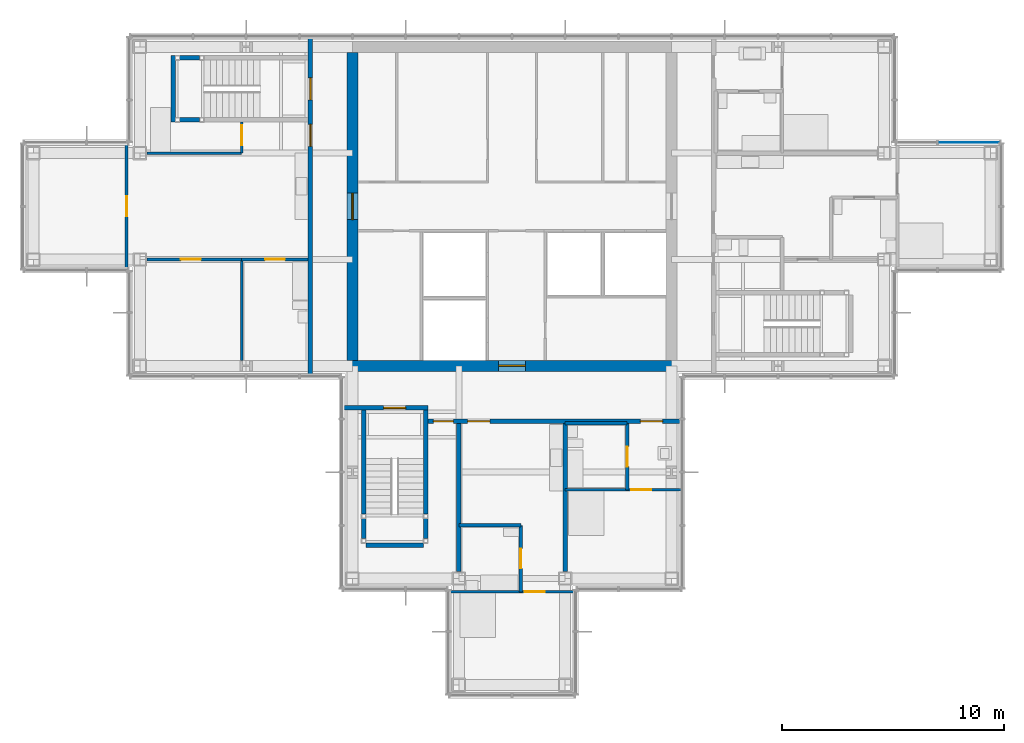
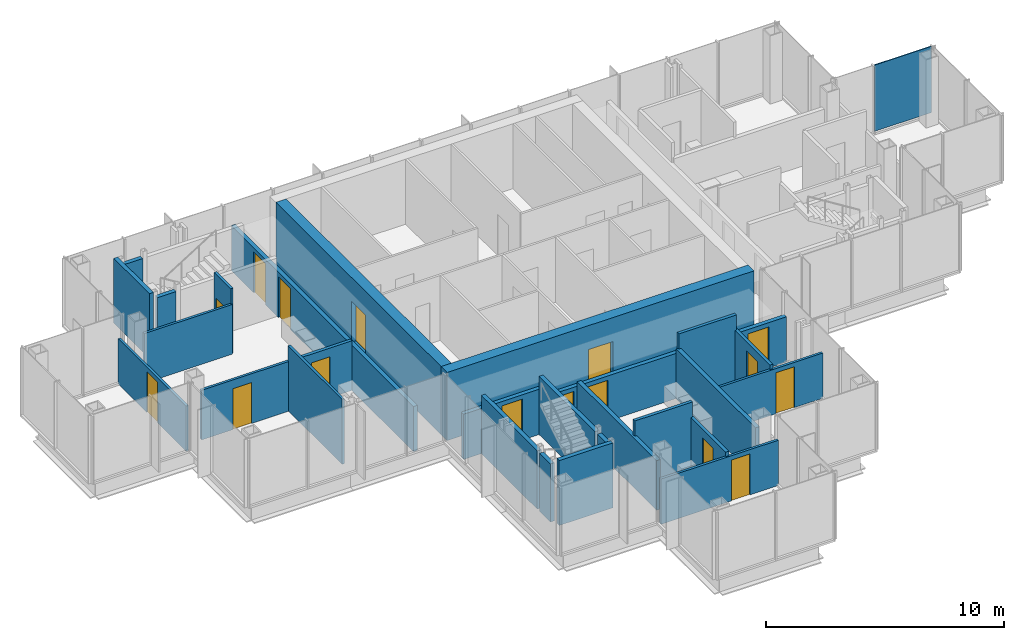
# One storey, part 10 of 15: 27 walls, 16 doors, 1 plate, 16 openings, 1 element without a shape of its own.
"""IFC4 building model written with IfcOpenShell, lengths in metres."""

from ifc_helpers import new_model, si_unit, direction, frame, frame_2d, origin, origin_2d, place, context, subcontext, project, spatial, rectangle, extrude, material, layer, layer_set, type_object, element, fill, aggregate, save


model = new_model("IFC4")

# Units and contexts
model_context = context("Model", 3, precision=1e-05, world=origin(), true_north=direction((0.0, 1.0)))
body_context = subcontext(model_context, "Body", "Model", "MODEL_VIEW")
ifc_project = project(units=[si_unit("LENGTHUNIT", "METRE"), si_unit("AREAUNIT", "SQUARE_METRE"), si_unit("VOLUMEUNIT", "CUBIC_METRE"), si_unit("PLANEANGLEUNIT", "RADIAN"), si_unit("MASSUNIT", "GRAM", prefix="KILO")], contexts=[model_context])

# Site, building, storey
site_placement = place(None, origin())
site = spatial("IfcSite", under=ifc_project, at=site_placement, CompositionType="ELEMENT")
building_placement = place(site_placement, origin())
building = spatial("IfcBuilding", under=site, at=building_placement, Name="Kvirike Care Tower", CompositionType="ELEMENT")
storey_placement = place(building_placement, frame((0.0, 0.0, 215.5)))
storey = spatial("IfcBuildingStorey", under=building, at=storey_placement, Name="L59", CompositionType="ELEMENT", Elevation=215.5)

# Curtain wall, plate
ifc_material_1 = material(Name="Anodised aluminium stick system", Category="aluminium")
curtain_wall_type = type_object("IfcCurtainWallType", Name="CW-D STICK CURTAIN WALL", PredefinedType="NOTDEFINED", material=ifc_material_1)
curtain_wall_placement = place(storey_placement, origin())
curtain_wall = element("IfcCurtainWall", 1, at=curtain_wall_placement, inside=storey, type_object=curtain_wall_type, Name="Curtain wall L59 face 5", PredefinedType="NOTDEFINED")
ifc_material_2 = material(Name="Tinted double glazed unit", Category="glass")
ifc_layer_1 = layer(ifc_material_2, 0.0439453125)
ifc_layer_set_1 = layer_set([ifc_layer_1], Name="TINTED VISION PANEL 44")
plate_type = type_object("IfcPlateType", Name="TINTED VISION PANEL 44", PredefinedType="CURTAIN_PANEL", material=ifc_layer_set_1)
plate_placement = place(storey_placement, frame((42.2236328125, 38.8798828125, 0.10009765625), z_axis=(0.0, 0.0, 1.0), x_axis=(-1.0, 0.0, 0.0)))
plate = element("IfcPlate", 2, at=plate_placement, type_object=plate_type, Name="CW-D panel L59 face 5.1", PredefinedType="CURTAIN_PANEL", context=body_context, shape_type="SweptSolid", body=[
    extrude(rectangle(XDim=2.782470703125, YDim=0.0439453125, at=origin_2d()), origin(), (0.0, 0.0, 1.0), 3.39990234375),
])
aggregate(curtain_wall, [plate])

# Wall, opening, door
ifc_material_3 = material(Name="Moisture-resistant board partition", Category="gypsum")
ifc_layer_2 = layer(ifc_material_3, 0.14990234375)
ifc_layer_set_2 = layer_set([ifc_layer_2], Name="BATHROOM WALL 150")
wall_type_1 = type_object("IfcWallType", Name="BATHROOM WALL 150", PredefinedType="PARTITIONING", material=ifc_layer_set_2)
wall_1_placement = place(storey_placement, frame((9.39990234375, 33.60009765625, 0.0), z_axis=(0.0, 0.0, 1.0), x_axis=(1.0, 0.0, 0.0)))
wall_1 = element("IfcWall", 3, at=wall_1_placement, inside=storey, type_object=wall_type_1, Name="Bathroom Wall 150 L59", PredefinedType="PARTITIONING", context=body_context, shape_type="SweptSolid", body=[
    extrude(rectangle(XDim=3.0, YDim=0.14990234375, at=frame_2d((1.5, 0.0))), origin(), (0.0, 0.0, 1.0), 2.550048828125),
])
opening_1_placement = place(wall_1_placement, frame((1.050048828125, 0.0, 0.0)))
opening_1 = element("IfcOpeningElement", 4, at=opening_1_placement, cuts=wall_1, Name="Opening 59-001", PredefinedType="OPENING", context=body_context, shape_type="SweptSolid", body=[
    extrude(rectangle(XDim=0.89990234375, YDim=2.10009765625, at=frame_2d((0.449951171875, 1.050048828125))), frame((0.0, 0.08544921875, 0.0), z_axis=(0.0, -1.0, 0.0), x_axis=(1.0, 0.0, 0.0)), (0.0, 0.0, 1.0), 0.1708984375),
])
ifc_material_4 = material(Name="Timber door set", Category="wood")
door_type_1 = type_object("IfcDoorType", Name="BATHROOM DOOR 900", OperationType="SINGLE_SWING_RIGHT", PredefinedType="DOOR", material=ifc_material_4)
door_1_placement = place(opening_1_placement, frame((0.89990234375, 0.0, 0.0), z_axis=(0.0, 0.0, 1.0), x_axis=(-1.0, 0.0, 0.0)))
door_1 = element("IfcDoor", 5, at=door_1_placement, inside=storey, type_object=door_type_1, Name="Bathroom door", OperationType="SINGLE_SWING_RIGHT", OverallHeight=2.10009765625, OverallWidth=0.89990234375, PredefinedType="DOOR", context=body_context, shape_type="SweptSolid", body=[
    extrude(rectangle(XDim=0.89990234375, YDim=2.10009765625, at=frame_2d((0.449951171875, 1.050048828125))), frame((0.0, 0.02197265625, 0.0), z_axis=(0.0, -1.0, 0.0), x_axis=(1.0, 0.0, 0.0)), (0.0, 0.0, 1.0), 0.0439453125),
])
fill(opening_1, door_1)

wall_2_placement = place(storey_placement, frame((22.0, 18.60009765625, 0.0), z_axis=(0.0, 0.0, 1.0), x_axis=(0.0, 1.0, 0.0)))
wall_2 = element("IfcWall", 6, at=wall_2_placement, inside=storey, type_object=wall_type_1, Name="Bathroom Wall 150 L59", PredefinedType="PARTITIONING", context=body_context, shape_type="SweptSolid", body=[
    extrude(rectangle(XDim=3.0, YDim=0.14990234375, at=frame_2d((1.5, 0.0))), origin(), (0.0, 0.0, 1.0), 2.550048828125),
])
opening_2_placement = place(wall_2_placement, frame((1.050048828125, 0.0, 0.0)))
opening_2 = element("IfcOpeningElement", 7, at=opening_2_placement, cuts=wall_2, Name="Opening 59-008", PredefinedType="OPENING", context=body_context, shape_type="SweptSolid", body=[
    extrude(rectangle(XDim=0.89990234375, YDim=2.10009765625, at=frame_2d((0.449951171875, 1.050048828125))), frame((0.0, 0.08544921875, 0.0), z_axis=(0.0, -1.0, 0.0), x_axis=(1.0, 0.0, 0.0)), (0.0, 0.0, 1.0), 0.1708984375),
])
door_2_placement = place(opening_2_placement, origin())
door_2 = element("IfcDoor", 8, at=door_2_placement, inside=storey, type_object=door_type_1, Name="Bathroom door", OperationType="SINGLE_SWING_RIGHT", OverallHeight=2.10009765625, OverallWidth=0.89990234375, PredefinedType="DOOR", context=body_context, shape_type="SweptSolid", body=[
    extrude(rectangle(XDim=0.89990234375, YDim=2.10009765625, at=frame_2d((0.449951171875, 1.050048828125))), frame((0.0, 0.02197265625, 0.0), z_axis=(0.0, -1.0, 0.0), x_axis=(1.0, 0.0, 0.0)), (0.0, 0.0, 1.0), 0.0439453125),
])
fill(opening_2, door_2)

# Wall
wall_3_placement = place(storey_placement, frame((19.199951171875, 21.60009765625, 0.0), z_axis=(0.0, 0.0, 1.0), x_axis=(1.0, 0.0, 0.0)))
element("IfcWall", 9, at=wall_3_placement, inside=storey, type_object=wall_type_1, Name="Bathroom Wall 150 L59", PredefinedType="PARTITIONING", context=body_context, shape_type="SweptSolid", body=[
    extrude(rectangle(XDim=2.800048828125, YDim=0.14990234375, at=frame_2d((1.39990234375, 0.0))), origin(), (0.0, 0.0, 1.0), 3.330078125),
])

# Wall, opening, door
wall_4_placement = place(storey_placement, frame((26.800048828125, 23.199951171875, 0.0), z_axis=(0.0, 0.0, 1.0), x_axis=(0.0, 1.0, 0.0)))
wall_4 = element("IfcWall", 10, at=wall_4_placement, inside=storey, type_object=wall_type_1, Name="Bathroom Wall 150 L59", PredefinedType="PARTITIONING", context=body_context, shape_type="SweptSolid", body=[
    extrude(rectangle(XDim=3.0, YDim=0.14990234375, at=frame_2d((1.5, 0.0))), origin(), (0.0, 0.0, 1.0), 2.550048828125),
])
opening_3_placement = place(wall_4_placement, frame((1.050048828125, 0.0, 0.0)))
opening_3 = element("IfcOpeningElement", 11, at=opening_3_placement, cuts=wall_4, Name="Opening 59-010", PredefinedType="OPENING", context=body_context, shape_type="SweptSolid", body=[
    extrude(rectangle(XDim=0.89990234375, YDim=2.10009765625, at=frame_2d((0.449951171875, 1.050048828125))), frame((0.0, 0.08544921875, 0.0), z_axis=(0.0, -1.0, 0.0), x_axis=(1.0, 0.0, 0.0)), (0.0, 0.0, 1.0), 0.1708984375),
])
door_3_placement = place(opening_3_placement, frame((0.89990234375, 0.0, 0.0), z_axis=(0.0, 0.0, 1.0), x_axis=(-1.0, 0.0, 0.0)))
door_3 = element("IfcDoor", 12, at=door_3_placement, inside=storey, type_object=door_type_1, Name="Bathroom door", OperationType="SINGLE_SWING_RIGHT", OverallHeight=2.10009765625, OverallWidth=0.89990234375, PredefinedType="DOOR", context=body_context, shape_type="SweptSolid", body=[
    extrude(rectangle(XDim=0.89990234375, YDim=2.10009765625, at=frame_2d((0.449951171875, 1.050048828125))), frame((0.0, 0.02197265625, 0.0), z_axis=(0.0, -1.0, 0.0), x_axis=(1.0, 0.0, 0.0)), (0.0, 0.0, 1.0), 0.0439453125),
])
fill(opening_3, door_3)

# Wall
wall_5_placement = place(storey_placement, frame((24.0, 26.199951171875, 0.0), z_axis=(0.0, 0.0, 1.0), x_axis=(1.0, 0.0, 0.0)))
element("IfcWall", 13, at=wall_5_placement, inside=storey, type_object=wall_type_1, Name="Bathroom Wall 150 L59", PredefinedType="PARTITIONING", context=body_context, shape_type="SweptSolid", body=[
    extrude(rectangle(XDim=2.800048828125, YDim=0.14990234375, at=frame_2d((1.39990234375, 0.0))), origin(), (0.0, 0.0, 1.0), 3.330078125),
])

# Wall, opening, door
ifc_material_5 = material(Name="Concrete C40/50", Category="concrete")
ifc_layer_3 = layer(ifc_material_5, 0.5)
ifc_layer_set_3 = layer_set([ifc_layer_3], Name="CORE WALL 500 C40-50")
wall_type_2 = type_object("IfcWallType", Name="CORE WALL 500 C40-50", PredefinedType="SHEAR", material=ifc_layer_set_3)
wall_6_placement = place(storey_placement, frame((14.14990234375, 28.800048828125, -0.169921875), z_axis=(0.0, 0.0, 1.0), x_axis=(1.0, 0.0, 0.0)))
wall_6 = element("IfcWall", 14, at=wall_6_placement, inside=storey, type_object=wall_type_2, Name="Core wall S L59", PredefinedType="SHEAR", context=body_context, shape_type="SweptSolid", body=[
    extrude(rectangle(XDim=14.900146484375, YDim=0.5, at=frame_2d((7.4501953125, 0.0))), origin(), (0.0, 0.0, 1.0), 3.5),
])
opening_4_placement = place(wall_6_placement, frame((6.85009765625, 0.0, 0.169921875)))
opening_4 = element("IfcOpeningElement", 15, at=opening_4_placement, cuts=wall_6, Name="Opening 59-037", PredefinedType="OPENING", context=body_context, shape_type="SweptSolid", body=[
    extrude(rectangle(XDim=1.199951171875, YDim=2.10009765625, at=frame_2d((0.60009765625, 1.050048828125))), frame((0.0, 0.260498046875, 0.0), z_axis=(0.0, -1.0, 0.0), x_axis=(1.0, 0.0, 0.0)), (0.0, 0.0, 1.0), 0.52099609375),
])
ifc_material_6 = material(Name="Timber door set", Category="wood")
door_type_2 = type_object("IfcDoorType", Name="CORE DOOR 1200", OperationType="SINGLE_SWING_LEFT", PredefinedType="DOOR", material=ifc_material_6)
door_4_placement = place(opening_4_placement, origin())
door_4 = element("IfcDoor", 16, at=door_4_placement, inside=storey, type_object=door_type_2, Name="Core door S L59", OperationType="SINGLE_SWING_LEFT", OverallHeight=2.10009765625, OverallWidth=1.199951171875, PredefinedType="DOOR", context=body_context, shape_type="SweptSolid", body=[
    extrude(rectangle(XDim=1.199951171875, YDim=2.10009765625, at=frame_2d((0.60009765625, 1.050048828125))), frame((0.0, 0.02685546875, 0.0), z_axis=(0.0, -1.0, 0.0), x_axis=(1.0, 0.0, 0.0)), (0.0, 0.0, 1.0), 0.053955078125),
])
fill(opening_4, door_4)

wall_7_placement = place(storey_placement, frame((14.39990234375, 42.949951171875, -0.169921875), z_axis=(0.0, 0.0, 1.0), x_axis=(0.0, -1.0, 0.0)))
wall_7 = element("IfcWall", 17, at=wall_7_placement, inside=storey, type_object=wall_type_2, Name="Core wall W L59", PredefinedType="SHEAR", context=body_context, shape_type="SweptSolid", body=[
    extrude(rectangle(XDim=13.89990234375, YDim=0.5, at=frame_2d((6.949951171875, 0.0))), origin(), (0.0, 0.0, 1.0), 3.5),
])
opening_5_placement = place(wall_7_placement, frame((6.35009765625, 0.0, 0.169921875)))
opening_5 = element("IfcOpeningElement", 18, at=opening_5_placement, cuts=wall_7, Name="Opening 59-038", PredefinedType="OPENING", context=body_context, shape_type="SweptSolid", body=[
    extrude(rectangle(XDim=1.199951171875, YDim=2.10009765625, at=frame_2d((0.60009765625, 1.050048828125))), frame((0.0, 0.260498046875, 0.0), z_axis=(0.0, -1.0, 0.0), x_axis=(1.0, 0.0, 0.0)), (0.0, 0.0, 1.0), 0.52099609375),
])
door_5_placement = place(opening_5_placement, origin())
door_5 = element("IfcDoor", 19, at=door_5_placement, inside=storey, type_object=door_type_2, Name="Core door W L59", OperationType="SINGLE_SWING_LEFT", OverallHeight=2.10009765625, OverallWidth=1.199951171875, PredefinedType="DOOR", context=body_context, shape_type="SweptSolid", body=[
    extrude(rectangle(XDim=1.199951171875, YDim=2.10009765625, at=frame_2d((0.60009765625, 1.050048828125))), frame((0.0, 0.02685546875, 0.0), z_axis=(0.0, -1.0, 0.0), x_axis=(1.0, 0.0, 0.0)), (0.0, 0.0, 1.0), 0.053955078125),
])
fill(opening_5, door_5)

# Wall, openings, doors
ifc_material_7 = material(Name="Plasterboard corridor wall", Category="gypsum")
ifc_layer_4 = layer(ifc_material_7, 0.199951171875)
ifc_layer_set_4 = layer_set([ifc_layer_4], Name="CORRIDOR WALL 200")
wall_type_3 = type_object("IfcWallType", Name="CORRIDOR WALL 200", PredefinedType="PARTITIONING", material=ifc_layer_set_4)
wall_8_placement = place(storey_placement, frame((12.5, 43.655029296875, 0.0), z_axis=(0.0, 0.0, 1.0), x_axis=(0.0, -1.0, 0.0)))
wall_8 = element("IfcWall", 20, at=wall_8_placement, inside=storey, type_object=wall_type_3, Name="Corridor Wall 200 L59", PredefinedType="PARTITIONING", context=body_context, shape_type="SweptSolid", body=[
    extrude(rectangle(XDim=15.31005859375, YDim=0.199951171875, at=frame_2d((7.655029296875, 0.0))), origin(), (0.0, 0.0, 1.0), 2.320068359375),
])
opening_6_placement = place(wall_8_placement, frame((1.85498046875, 0.0, 0.0)))
opening_6 = element("IfcOpeningElement", 21, at=opening_6_placement, cuts=wall_8, Name="Opening 59-005", PredefinedType="OPENING", context=body_context, shape_type="SweptSolid", body=[
    extrude(rectangle(XDim=1.0, YDim=2.10009765625, at=frame_2d((0.5, 1.050048828125))), frame((0.0, 0.110595703125, 0.0), z_axis=(0.0, -1.0, 0.0), x_axis=(1.0, 0.0, 0.0)), (0.0, 0.0, 1.0), 0.220947265625),
])
opening_7_placement = place(wall_8_placement, frame((3.955078125, 0.0, 0.0)))
opening_7 = element("IfcOpeningElement", 22, at=opening_7_placement, cuts=wall_8, Name="Opening 59-006", PredefinedType="OPENING", context=body_context, shape_type="SweptSolid", body=[
    extrude(rectangle(XDim=1.0, YDim=2.10009765625, at=frame_2d((0.5, 1.050048828125))), frame((0.0, 0.110595703125, 0.0), z_axis=(0.0, -1.0, 0.0), x_axis=(1.0, 0.0, 0.0)), (0.0, 0.0, 1.0), 0.220947265625),
])
ifc_material_8 = material(Name="Timber door set", Category="wood")
door_type_3 = type_object("IfcDoorType", Name="FLAT ENTRANCE DOOR 1000", OperationType="SINGLE_SWING_LEFT", PredefinedType="DOOR", material=ifc_material_8)
door_6_placement = place(opening_7_placement, frame((1.0, 0.0, 0.0), z_axis=(0.0, 0.0, 1.0), x_axis=(-1.0, 0.0, 0.0)))
door_6 = element("IfcDoor", 23, at=door_6_placement, inside=storey, type_object=door_type_3, Name="One-bedroom apartment entrance", OperationType="SINGLE_SWING_LEFT", OverallHeight=2.10009765625, OverallWidth=1.0, PredefinedType="DOOR", context=body_context, shape_type="SweptSolid", body=[
    extrude(rectangle(XDim=1.0, YDim=2.10009765625, at=frame_2d((0.5, 1.050048828125))), frame((0.0, 0.02685546875, 0.0), z_axis=(0.0, -1.0, 0.0), x_axis=(1.0, 0.0, 0.0)), (0.0, 0.0, 1.0), 0.053955078125),
])
fill(opening_7, door_6)
ifc_material_9 = material(Name="Timber door set", Category="wood")
door_type_4 = type_object("IfcDoorType", Name="STAIR DOOR 1000", OperationType="SINGLE_SWING_LEFT", PredefinedType="DOOR", material=ifc_material_9)
door_7_placement = place(opening_6_placement, frame((1.0, 0.0, 0.0), z_axis=(0.0, 0.0, 1.0), x_axis=(-1.0, 0.0, 0.0)))
door_7 = element("IfcDoor", 24, at=door_7_placement, inside=storey, type_object=door_type_4, Name="Stair 1 door", OperationType="SINGLE_SWING_RIGHT", OverallHeight=2.10009765625, OverallWidth=1.0, PredefinedType="DOOR", context=body_context, shape_type="SweptSolid", body=[
    extrude(rectangle(XDim=1.0, YDim=2.10009765625, at=frame_2d((0.5, 1.050048828125))), frame((0.0, 0.031982421875, 0.0), z_axis=(0.0, -1.0, 0.0), x_axis=(1.0, 0.0, 0.0)), (0.0, 0.0, 1.0), 0.06396484375),
])
fill(opening_6, door_7)

wall_9_placement = place(storey_placement, frame((17.800048828125, 26.300048828125, 0.0), z_axis=(0.0, 0.0, 1.0), x_axis=(1.0, 0.0, 0.0)))
wall_9 = element("IfcWall", 25, at=wall_9_placement, inside=storey, type_object=wall_type_3, Name="Corridor Wall 200 L59", PredefinedType="PARTITIONING", context=body_context, shape_type="SweptSolid", body=[
    extrude(rectangle(XDim=11.454833984375, YDim=0.199951171875, at=frame_2d((5.7275390625, 0.0))), origin(), (0.0, 0.0, 1.0), 2.320068359375),
])
opening_8_placement = place(wall_9_placement, frame((0.25, 0.0, 0.0)))
opening_8 = element("IfcOpeningElement", 26, at=opening_8_placement, cuts=wall_9, Name="Opening 59-012", PredefinedType="OPENING", context=body_context, shape_type="SweptSolid", body=[
    extrude(rectangle(XDim=0.89990234375, YDim=2.10009765625, at=frame_2d((0.449951171875, 1.050048828125))), frame((0.0, 0.110595703125, 0.0), z_axis=(0.0, -1.0, 0.0), x_axis=(1.0, 0.0, 0.0)), (0.0, 0.0, 1.0), 0.220947265625),
])
opening_9_placement = place(wall_9_placement, frame((1.800048828125, 0.0, 0.0)))
opening_9 = element("IfcOpeningElement", 27, at=opening_9_placement, cuts=wall_9, Name="Opening 59-013", PredefinedType="OPENING", context=body_context, shape_type="SweptSolid", body=[
    extrude(rectangle(XDim=1.0, YDim=2.10009765625, at=frame_2d((0.5, 1.050048828125))), frame((0.0, 0.110595703125, 0.0), z_axis=(0.0, -1.0, 0.0), x_axis=(1.0, 0.0, 0.0)), (0.0, 0.0, 1.0), 0.220947265625),
])
opening_10_placement = place(wall_9_placement, frame((9.60009765625, 0.0, 0.0)))
opening_10 = element("IfcOpeningElement", 28, at=opening_10_placement, cuts=wall_9, Name="Opening 59-014", PredefinedType="OPENING", context=body_context, shape_type="SweptSolid", body=[
    extrude(rectangle(XDim=1.0, YDim=2.10009765625, at=frame_2d((0.5, 1.050048828125))), frame((0.0, 0.110595703125, 0.0), z_axis=(0.0, -1.0, 0.0), x_axis=(1.0, 0.0, 0.0)), (0.0, 0.0, 1.0), 0.220947265625),
])
door_8_placement = place(opening_9_placement, frame((1.0, 0.0, 0.0), z_axis=(0.0, 0.0, 1.0), x_axis=(-1.0, 0.0, 0.0)))
door_8 = element("IfcDoor", 29, at=door_8_placement, inside=storey, type_object=door_type_3, Name="Studio apartment entrance", OperationType="SINGLE_SWING_LEFT", OverallHeight=2.10009765625, OverallWidth=1.0, PredefinedType="DOOR", context=body_context, shape_type="SweptSolid", body=[
    extrude(rectangle(XDim=1.0, YDim=2.10009765625, at=frame_2d((0.5, 1.050048828125))), frame((0.0, 0.02685546875, 0.0), z_axis=(0.0, -1.0, 0.0), x_axis=(1.0, 0.0, 0.0)), (0.0, 0.0, 1.0), 0.053955078125),
])
fill(opening_9, door_8)
door_9_placement = place(opening_10_placement, frame((1.0, 0.0, 0.0), z_axis=(0.0, 0.0, 1.0), x_axis=(-1.0, 0.0, 0.0)))
door_9 = element("IfcDoor", 30, at=door_9_placement, inside=storey, type_object=door_type_3, Name="Studio apartment entrance", OperationType="SINGLE_SWING_RIGHT", OverallHeight=2.10009765625, OverallWidth=1.0, PredefinedType="DOOR", context=body_context, shape_type="SweptSolid", body=[
    extrude(rectangle(XDim=1.0, YDim=2.10009765625, at=frame_2d((0.5, 1.050048828125))), frame((0.0, 0.02685546875, 0.0), z_axis=(0.0, -1.0, 0.0), x_axis=(1.0, 0.0, 0.0)), (0.0, 0.0, 1.0), 0.053955078125),
])
fill(opening_10, door_9)
ifc_material_10 = material(Name="Timber door set", Category="wood")
door_type_5 = type_object("IfcDoorType", Name="STORE DOOR 900", OperationType="SINGLE_SWING_LEFT", PredefinedType="DOOR", material=ifc_material_10)
door_10_placement = place(opening_8_placement, frame((0.89990234375, 0.0, 0.0), z_axis=(0.0, 0.0, 1.0), x_axis=(-1.0, 0.0, 0.0)))
door_10 = element("IfcDoor", 31, at=door_10_placement, inside=storey, type_object=door_type_5, Name="Housekeeping room door", OperationType="SINGLE_SWING_RIGHT", OverallHeight=2.10009765625, OverallWidth=0.89990234375, PredefinedType="DOOR", context=body_context, shape_type="SweptSolid", body=[
    extrude(rectangle(XDim=0.89990234375, YDim=2.10009765625, at=frame_2d((0.449951171875, 1.050048828125))), frame((0.0, 0.02685546875, 0.0), z_axis=(0.0, -1.0, 0.0), x_axis=(1.0, 0.0, 0.0)), (0.0, 0.0, 1.0), 0.053955078125),
])
fill(opening_8, door_10)

# Wall, opening, door
ifc_material_11 = material(Name="Plasterboard partition", Category="gypsum")
ifc_layer_5 = layer(ifc_material_11, 0.1201171875)
ifc_layer_set_5 = layer_set([ifc_layer_5], Name="PARTITION 120")
wall_type_4 = type_object("IfcWallType", Name="PARTITION 120", PredefinedType="PARTITIONING", material=ifc_layer_set_5)
wall_10_placement = place(storey_placement, frame((9.39990234375, 39.800048828125, 0.0), z_axis=(0.0, 0.0, 1.0), x_axis=(0.0, -1.0, 0.0)))
wall_10 = element("IfcWall", 32, at=wall_10_placement, inside=storey, type_object=wall_type_4, Name="Partition 120 L59", PredefinedType="PARTITIONING", context=body_context, shape_type="SweptSolid", body=[
    extrude(rectangle(XDim=1.400146484375, YDim=0.1201171875, at=frame_2d((0.7001953125, 0.0))), origin(), (0.0, 0.0, 1.0), 3.330078125),
])
opening_11_placement = place(wall_10_placement, frame((0.14990234375, 0.0, 0.0)))
opening_11 = element("IfcOpeningElement", 33, at=opening_11_placement, cuts=wall_10, Name="Opening 59-002", PredefinedType="OPENING", context=body_context, shape_type="SweptSolid", body=[
    extrude(rectangle(XDim=0.89990234375, YDim=2.10009765625, at=frame_2d((0.449951171875, 1.050048828125))), frame((0.0, 0.070556640625, 0.0), z_axis=(0.0, -1.0, 0.0), x_axis=(1.0, 0.0, 0.0)), (0.0, 0.0, 1.0), 0.14111328125),
])
ifc_material_12 = material(Name="Timber door set", Category="wood")
door_type_6 = type_object("IfcDoorType", Name="INTERNAL DOOR 900", OperationType="SINGLE_SWING_LEFT", PredefinedType="DOOR", material=ifc_material_12)
door_11_placement = place(opening_11_placement, frame((0.89990234375, 0.0, 0.0), z_axis=(0.0, 0.0, 1.0), x_axis=(-1.0, 0.0, 0.0)))
door_11 = element("IfcDoor", 34, at=door_11_placement, inside=storey, type_object=door_type_6, Name="Apartment bedroom door", OperationType="SINGLE_SWING_LEFT", OverallHeight=2.10009765625, OverallWidth=0.89990234375, PredefinedType="DOOR", context=body_context, shape_type="SweptSolid", body=[
    extrude(rectangle(XDim=0.89990234375, YDim=2.10009765625, at=frame_2d((0.449951171875, 1.050048828125))), frame((0.0, 0.02197265625, 0.0), z_axis=(0.0, -1.0, 0.0), x_axis=(1.0, 0.0, 0.0)), (0.0, 0.0, 1.0), 0.0439453125),
])
fill(opening_11, door_11)

wall_11_placement = place(storey_placement, frame((4.199951171875, 38.85498046875, 0.0), z_axis=(0.0, 0.0, 1.0), x_axis=(0.0, -1.0, 0.0)))
wall_11 = element("IfcWall", 35, at=wall_11_placement, inside=storey, type_object=wall_type_4, Name="Partition 120 L59", PredefinedType="PARTITIONING", context=body_context, shape_type="SweptSolid", body=[
    extrude(rectangle(XDim=5.7099609375, YDim=0.1201171875, at=frame_2d((2.85498046875, 0.0))), origin(), (0.0, 0.0, 1.0), 2.320068359375),
])
opening_12_placement = place(wall_11_placement, frame((2.405029296875, 0.0, 0.0)))
opening_12 = element("IfcOpeningElement", 36, at=opening_12_placement, cuts=wall_11, Name="Opening 59-003", PredefinedType="OPENING", context=body_context, shape_type="SweptSolid", body=[
    extrude(rectangle(XDim=0.89990234375, YDim=2.10009765625, at=frame_2d((0.449951171875, 1.050048828125))), frame((0.0, 0.070556640625, 0.0), z_axis=(0.0, -1.0, 0.0), x_axis=(1.0, 0.0, 0.0)), (0.0, 0.0, 1.0), 0.14111328125),
])
door_12_placement = place(opening_12_placement, frame((0.89990234375, 0.0, 0.0), z_axis=(0.0, 0.0, 1.0), x_axis=(-1.0, 0.0, 0.0)))
door_12 = element("IfcDoor", 37, at=door_12_placement, inside=storey, type_object=door_type_6, Name="Apartment living and dining room door", OperationType="SINGLE_SWING_LEFT", OverallHeight=2.10009765625, OverallWidth=0.89990234375, PredefinedType="DOOR", context=body_context, shape_type="SweptSolid", body=[
    extrude(rectangle(XDim=0.89990234375, YDim=2.10009765625, at=frame_2d((0.449951171875, 1.050048828125))), frame((0.0, 0.02197265625, 0.0), z_axis=(0.0, -1.0, 0.0), x_axis=(1.0, 0.0, 0.0)), (0.0, 0.0, 1.0), 0.0439453125),
])
fill(opening_12, door_12)

# Walls
wall_12_placement = place(storey_placement, frame((9.39990234375, 33.60009765625, 0.0), z_axis=(0.0, 0.0, 1.0), x_axis=(0.0, -1.0, 0.0)))
element("IfcWall", 38, at=wall_12_placement, inside=storey, type_object=wall_type_4, Name="Partition 120 L59", PredefinedType="PARTITIONING", context=body_context, shape_type="SweptSolid", body=[
    extrude(rectangle(XDim=4.552978515625, YDim=0.1201171875, at=frame_2d((2.2763671875, 0.0))), origin(), (0.0, 0.0, 1.0), 3.330078125),
])
wall_13_placement = place(storey_placement, frame((5.1201171875, 38.39990234375, 0.0), z_axis=(0.0, 0.0, 1.0), x_axis=(1.0, 0.0, 0.0)))
element("IfcWall", 39, at=wall_13_placement, inside=storey, type_object=wall_type_4, Name="Partition 120 L59", PredefinedType="PARTITIONING", context=body_context, shape_type="SweptSolid", body=[
    extrude(rectangle(XDim=4.27978515625, YDim=0.1201171875, at=frame_2d((2.139892578125, 0.0))), origin(), (0.0, 0.0, 1.0), 2.550048828125),
])

# Wall, opening, door
wall_14_placement = place(storey_placement, frame((5.1201171875, 33.60009765625, 0.0), z_axis=(0.0, 0.0, 1.0), x_axis=(1.0, 0.0, 0.0)))
wall_14 = element("IfcWall", 40, at=wall_14_placement, inside=storey, type_object=wall_type_4, Name="Partition 120 L59", PredefinedType="PARTITIONING", context=body_context, shape_type="SweptSolid", body=[
    extrude(rectangle(XDim=4.27978515625, YDim=0.1201171875, at=frame_2d((2.139892578125, 0.0))), origin(), (0.0, 0.0, 1.0), 2.550048828125),
])
opening_13_placement = place(wall_14_placement, frame((1.530029296875, 0.0, 0.0)))
opening_13 = element("IfcOpeningElement", 41, at=opening_13_placement, cuts=wall_14, Name="Opening 59-004", PredefinedType="OPENING", context=body_context, shape_type="SweptSolid", body=[
    extrude(rectangle(XDim=0.89990234375, YDim=2.10009765625, at=frame_2d((0.449951171875, 1.050048828125))), frame((0.0, 0.070556640625, 0.0), z_axis=(0.0, -1.0, 0.0), x_axis=(1.0, 0.0, 0.0)), (0.0, 0.0, 1.0), 0.14111328125),
])
door_13_placement = place(opening_13_placement, frame((0.89990234375, 0.0, 0.0), z_axis=(0.0, 0.0, 1.0), x_axis=(-1.0, 0.0, 0.0)))
door_13 = element("IfcDoor", 42, at=door_13_placement, inside=storey, type_object=door_type_6, Name="Connecting door", OperationType="SINGLE_SWING_LEFT", OverallHeight=2.10009765625, OverallWidth=0.89990234375, PredefinedType="DOOR", context=body_context, shape_type="SweptSolid", body=[
    extrude(rectangle(XDim=0.89990234375, YDim=2.10009765625, at=frame_2d((0.449951171875, 1.050048828125))), frame((0.0, 0.02197265625, 0.0), z_axis=(0.0, -1.0, 0.0), x_axis=(1.0, 0.0, 0.0)), (0.0, 0.0, 1.0), 0.0439453125),
])
fill(opening_13, door_13)

wall_15_placement = place(storey_placement, frame((18.7451171875, 18.60009765625, 0.0), z_axis=(0.0, 0.0, 1.0), x_axis=(1.0, 0.0, 0.0)))
wall_15 = element("IfcWall", 43, at=wall_15_placement, inside=storey, type_object=wall_type_4, Name="Partition 120 L59", PredefinedType="PARTITIONING", context=body_context, shape_type="SweptSolid", body=[
    extrude(rectangle(XDim=5.7099609375, YDim=0.1201171875, at=frame_2d((2.85498046875, 0.0))), origin(), (0.0, 0.0, 1.0), 2.320068359375),
])
opening_14_placement = place(wall_15_placement, frame((3.429931640625, 0.0, 0.0)))
opening_14 = element("IfcOpeningElement", 44, at=opening_14_placement, cuts=wall_15, Name="Opening 59-009", PredefinedType="OPENING", context=body_context, shape_type="SweptSolid", body=[
    extrude(rectangle(XDim=0.89990234375, YDim=2.10009765625, at=frame_2d((0.449951171875, 1.050048828125))), frame((0.0, 0.070556640625, 0.0), z_axis=(0.0, -1.0, 0.0), x_axis=(1.0, 0.0, 0.0)), (0.0, 0.0, 1.0), 0.14111328125),
])
door_14_placement = place(opening_14_placement, frame((0.89990234375, 0.0, 0.0), z_axis=(0.0, 0.0, 1.0), x_axis=(-1.0, 0.0, 0.0)))
door_14 = element("IfcDoor", 45, at=door_14_placement, inside=storey, type_object=door_type_6, Name="Studio apartment living room door", OperationType="SINGLE_SWING_RIGHT", OverallHeight=2.10009765625, OverallWidth=0.89990234375, PredefinedType="DOOR", context=body_context, shape_type="SweptSolid", body=[
    extrude(rectangle(XDim=0.89990234375, YDim=2.10009765625, at=frame_2d((0.449951171875, 1.050048828125))), frame((0.0, 0.02197265625, 0.0), z_axis=(0.0, -1.0, 0.0), x_axis=(1.0, 0.0, 0.0)), (0.0, 0.0, 1.0), 0.0439453125),
])
fill(opening_14, door_14)

wall_16_placement = place(storey_placement, frame((24.0, 23.199951171875, 0.0), z_axis=(0.0, 0.0, 1.0), x_axis=(1.0, 0.0, 0.0)))
wall_16 = element("IfcWall", 46, at=wall_16_placement, inside=storey, type_object=wall_type_4, Name="Partition 120 L59", PredefinedType="PARTITIONING", context=body_context, shape_type="SweptSolid", body=[
    extrude(rectangle(XDim=5.2548828125, YDim=0.1201171875, at=frame_2d((2.62744140625, 0.0))), origin(), (0.0, 0.0, 1.0), 2.320068359375),
])
opening_15_placement = place(wall_16_placement, frame((2.97509765625, 0.0, 0.0)))
opening_15 = element("IfcOpeningElement", 47, at=opening_15_placement, cuts=wall_16, Name="Opening 59-011", PredefinedType="OPENING", context=body_context, shape_type="SweptSolid", body=[
    extrude(rectangle(XDim=0.89990234375, YDim=2.10009765625, at=frame_2d((0.449951171875, 1.050048828125))), frame((0.0, 0.070556640625, 0.0), z_axis=(0.0, -1.0, 0.0), x_axis=(1.0, 0.0, 0.0)), (0.0, 0.0, 1.0), 0.14111328125),
])
door_15_placement = place(opening_15_placement, origin())
door_15 = element("IfcDoor", 48, at=door_15_placement, inside=storey, type_object=door_type_6, Name="Studio apartment living room door", OperationType="SINGLE_SWING_RIGHT", OverallHeight=2.10009765625, OverallWidth=0.89990234375, PredefinedType="DOOR", context=body_context, shape_type="SweptSolid", body=[
    extrude(rectangle(XDim=0.89990234375, YDim=2.10009765625, at=frame_2d((0.449951171875, 1.050048828125))), frame((0.0, 0.02197265625, 0.0), z_axis=(0.0, -1.0, 0.0), x_axis=(1.0, 0.0, 0.0)), (0.0, 0.0, 1.0), 0.0439453125),
])
fill(opening_15, door_15)

# Walls
ifc_material_13 = material(Name="Plasterboard party wall", Category="gypsum")
ifc_layer_6 = layer(ifc_material_13, 0.199951171875)
ifc_layer_set_6 = layer_set([ifc_layer_6], Name="PARTY WALL 200")
wall_type_5 = type_object("IfcWallType", Name="PARTY WALL 200", PredefinedType="PARTITIONING", material=ifc_layer_set_6)
for number, where, z_axis, x_axis, name in (
    (49, (19.199951171875, 19.52001953125, 0.0), (0.0, 0.0, 1.0), (0.0, 1.0, 0.0), "Party Wall 200 L59"),
    (50, (24.0, 19.52001953125, 0.0), (0.0, 0.0, 1.0), (0.0, 1.0, 0.0), "Party Wall 200 L59"),
):
    element("IfcWall", number, at=place(storey_placement, frame(where, z_axis=z_axis, x_axis=x_axis)), inside=storey, type_object=wall_type_5, Name=name, PredefinedType="PARTITIONING", context=body_context, shape_type="SweptSolid", body=[
        extrude(rectangle(XDim=6.679931640625, YDim=0.199951171875, at=frame_2d((3.33984375, 0.0))), origin(), (0.0, 0.0, 1.0), 2.550048828125),
    ])
ifc_material_14 = material(Name="Concrete C40/50", Category="concrete")
ifc_layer_7 = layer(ifc_material_14, 0.199951171875)
ifc_layer_set_7 = layer_set([ifc_layer_7], Name="STAIR WALL 200")
wall_type_6 = type_object("IfcWallType", Name="STAIR WALL 200", PredefinedType="SOLIDWALL", material=ifc_layer_set_7)
for number, where, z_axis, x_axis, name in (
    (51, (6.60009765625, 42.699951171875, 0.0), (0.0, 0.0, 1.0), (1.0, 0.0, 0.0), "Stair Wall 200 L59"),
    (52, (6.60009765625, 39.89990234375, 0.0), (0.0, 0.0, 1.0), (1.0, 0.0, 0.0), "Stair Wall 200 L59"),
):
    element("IfcWall", number, at=place(storey_placement, frame(where, z_axis=z_axis, x_axis=x_axis)), inside=storey, type_object=wall_type_6, Name=name, PredefinedType="SOLIDWALL", context=body_context, shape_type="SweptSolid", body=[
        extrude(rectangle(XDim=0.89990234375, YDim=0.199951171875, at=frame_2d((0.449951171875, 0.0))), origin(), (0.0, 0.0, 1.0), 2.989990234375),
    ])
wall_17_placement = place(storey_placement, frame((6.300048828125, 42.800048828125, 0.0), z_axis=(0.0, 0.0, 1.0), x_axis=(0.0, -1.0, 0.0)))
element("IfcWall", 53, at=wall_17_placement, inside=storey, type_object=wall_type_6, Name="Stair Wall 200 L59", PredefinedType="SOLIDWALL", context=body_context, shape_type="SweptSolid", body=[
    extrude(rectangle(XDim=3.0, YDim=0.199951171875, at=frame_2d((1.5, 0.0))), origin(), (0.0, 0.0, 1.0), 3.330078125),
])
wall_18_placement = place(storey_placement, frame((14.89990234375, 21.0, 0.0), z_axis=(0.0, 0.0, 1.0), x_axis=(0.0, 1.0, 0.0)))
element("IfcWall", 54, at=wall_18_placement, inside=storey, type_object=wall_type_6, Name="Stair Wall 200 L59", PredefinedType="SOLIDWALL", context=body_context, shape_type="SweptSolid", body=[
    extrude(rectangle(XDim=0.89990234375, YDim=0.199951171875, at=frame_2d((0.449951171875, 0.0))), origin(), (0.0, 0.0, 1.0), 2.989990234375),
])
wall_19_placement = place(storey_placement, frame((14.89990234375, 22.10009765625, 0.0), z_axis=(0.0, 0.0, 1.0), x_axis=(0.0, 1.0, 0.0)))
element("IfcWall", 55, at=wall_19_placement, inside=storey, type_object=wall_type_6, Name="Stair Wall 200 L59", PredefinedType="SOLIDWALL", context=body_context, shape_type="SweptSolid", body=[
    extrude(rectangle(XDim=4.699951171875, YDim=0.199951171875, at=frame_2d((2.35009765625, 0.0))), origin(), (0.0, 0.0, 1.0), 2.989990234375),
])
wall_20_placement = place(storey_placement, frame((17.699951171875, 21.0, 0.0), z_axis=(0.0, 0.0, 1.0), x_axis=(0.0, 1.0, 0.0)))
element("IfcWall", 56, at=wall_20_placement, inside=storey, type_object=wall_type_6, Name="Stair Wall 200 L59", PredefinedType="SOLIDWALL", context=body_context, shape_type="SweptSolid", body=[
    extrude(rectangle(XDim=0.89990234375, YDim=0.199951171875, at=frame_2d((0.449951171875, 0.0))), origin(), (0.0, 0.0, 1.0), 2.989990234375),
])
wall_21_placement = place(storey_placement, frame((17.699951171875, 22.10009765625, 0.0), z_axis=(0.0, 0.0, 1.0), x_axis=(0.0, 1.0, 0.0)))
element("IfcWall", 57, at=wall_21_placement, inside=storey, type_object=wall_type_6, Name="Stair Wall 200 L59", PredefinedType="SOLIDWALL", context=body_context, shape_type="SweptSolid", body=[
    extrude(rectangle(XDim=4.699951171875, YDim=0.199951171875, at=frame_2d((2.35009765625, 0.0))), origin(), (0.0, 0.0, 1.0), 2.989990234375),
])
wall_22_placement = place(storey_placement, frame((15.0, 20.699951171875, 0.0), z_axis=(0.0, 0.0, 1.0), x_axis=(1.0, 0.0, 0.0)))
element("IfcWall", 58, at=wall_22_placement, inside=storey, type_object=wall_type_6, Name="Stair Wall 200 L59", PredefinedType="SOLIDWALL", context=body_context, shape_type="SweptSolid", body=[
    extrude(rectangle(XDim=2.60009765625, YDim=0.199951171875, at=frame_2d((1.300048828125, 0.0))), origin(), (0.0, 0.0, 1.0), 3.330078125),
])

# Wall, opening, door
wall_23_placement = place(storey_placement, frame((13.945068359375, 26.89990234375, 0.0), z_axis=(0.0, 0.0, 1.0), x_axis=(1.0, 0.0, 0.0)))
wall_23 = element("IfcWall", 59, at=wall_23_placement, inside=storey, type_object=wall_type_6, Name="Stair Wall 200 L59", PredefinedType="SOLIDWALL", context=body_context, shape_type="SweptSolid", body=[
    extrude(rectangle(XDim=3.85498046875, YDim=0.199951171875, at=frame_2d((1.927490234375, 0.0))), origin(), (0.0, 0.0, 1.0), 2.320068359375),
])
opening_16_placement = place(wall_23_placement, frame((1.85498046875, 0.0, 0.0)))
opening_16 = element("IfcOpeningElement", 60, at=opening_16_placement, cuts=wall_23, Name="Opening 59-007", PredefinedType="OPENING", context=body_context, shape_type="SweptSolid", body=[
    extrude(rectangle(XDim=1.0, YDim=2.10009765625, at=frame_2d((0.5, 1.050048828125))), frame((0.0, 0.110595703125, 0.0), z_axis=(0.0, -1.0, 0.0), x_axis=(1.0, 0.0, 0.0)), (0.0, 0.0, 1.0), 0.220947265625),
])
door_16_placement = place(opening_16_placement, frame((1.0, 0.0, 0.0), z_axis=(0.0, 0.0, 1.0), x_axis=(-1.0, 0.0, 0.0)))
door_16 = element("IfcDoor", 61, at=door_16_placement, inside=storey, type_object=door_type_4, Name="Stair 5 door", OperationType="SINGLE_SWING_LEFT", OverallHeight=2.10009765625, OverallWidth=1.0, PredefinedType="DOOR", context=body_context, shape_type="SweptSolid", body=[
    extrude(rectangle(XDim=1.0, YDim=2.10009765625, at=frame_2d((0.5, 1.050048828125))), frame((0.0, 0.031982421875, 0.0), z_axis=(0.0, -1.0, 0.0), x_axis=(1.0, 0.0, 0.0)), (0.0, 0.0, 1.0), 0.06396484375),
])
fill(opening_16, door_16)

save(model, "model.ifc")
